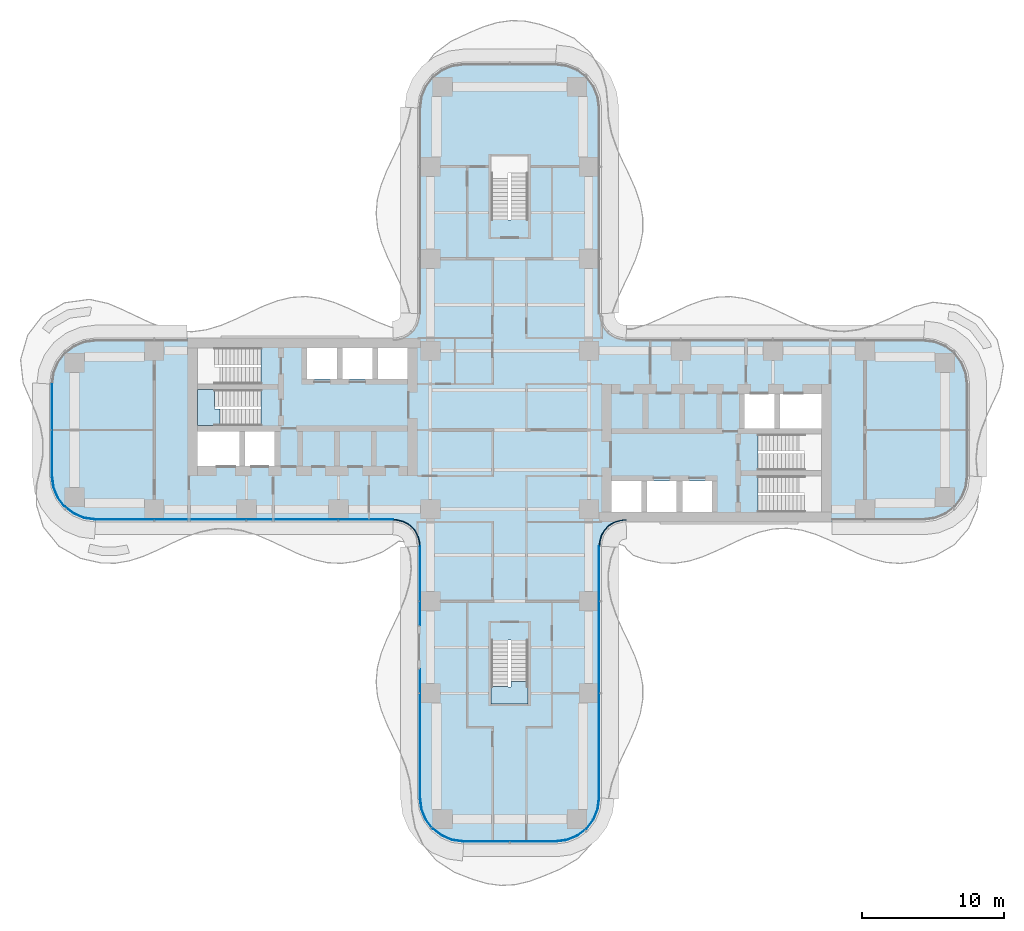
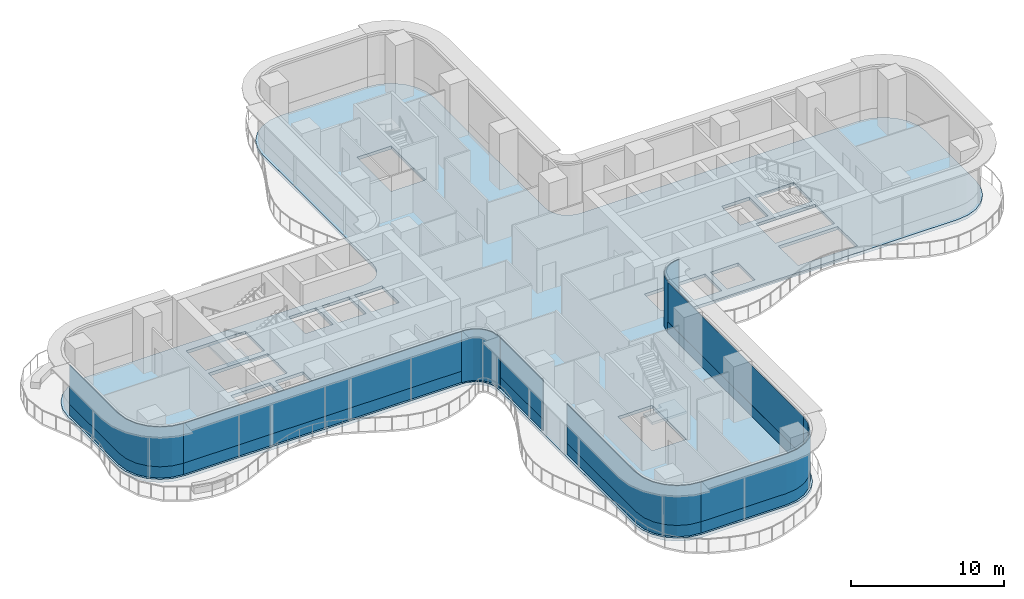
# One storey, part 14 of 22: 14 plates, 3 slabs, 10 elements without a shape of their own.
"""IFC4 building model written with IfcOpenShell, lengths in metres."""

from ifc_helpers import new_model, si_unit, direction, frame, origin, place, context, subcontext, project, spatial, polyline, outline, extrude, source, transform, mapped, material, layer, layer_set, type_object, element, aggregate, save


model = new_model("IFC4")

# Units and contexts
model_context = context("Model", 3, precision=1e-05, world=origin(), true_north=direction((0.0, 1.0)))
body_context = subcontext(model_context, "Body", "Model", "MODEL_VIEW")
ifc_project = project(units=[si_unit("LENGTHUNIT", "METRE"), si_unit("AREAUNIT", "SQUARE_METRE"), si_unit("VOLUMEUNIT", "CUBIC_METRE"), si_unit("PLANEANGLEUNIT", "RADIAN"), si_unit("MASSUNIT", "GRAM", prefix="KILO")], contexts=[model_context])

# Site, building, storey
site_placement = place(None, origin())
site = spatial("IfcSite", under=ifc_project, at=site_placement, CompositionType="ELEMENT")
building_placement = place(site_placement, origin())
building = spatial("IfcBuilding", under=site, at=building_placement, Name="Trellis Farm Tower", CompositionType="ELEMENT")
storey_placement = place(building_placement, frame((0.0, 0.0, 65.5)))
storey = spatial("IfcBuildingStorey", under=building, at=storey_placement, Name="L13", CompositionType="ELEMENT", Elevation=65.5)

# Curtain wall, plate
ifc_material_1 = material(Name="Aluminium and glass curtain wall", Category="aluminium")
ifc_layer_1 = layer(ifc_material_1, 0.18994140625)
ifc_layer_set_1 = layer_set([ifc_layer_1], Name="RIBBON CURTAIN WALL CW1")
curtain_wall_type_1 = type_object("IfcCurtainWallType", Name="RIBBON CURTAIN WALL CW1", PredefinedType="NOTDEFINED", material=ifc_layer_set_1)
placement_1 = place(storey_placement, origin())
curtain_wall_1 = element("IfcCurtainWall", 1, at=placement_1, inside=storey, type_object=curtain_wall_type_1, Name="CW1 002", PredefinedType="NOTDEFINED")
ifc_material_2 = material(Name="Clear insulated glass", Category="glass")
ifc_layer_2 = layer(ifc_material_2, 0.0400390625)
ifc_layer_set_2 = layer_set([ifc_layer_2], Name="CW1 GLASS PANEL 40")
plate_type_1 = type_object("IfcPlateType", Name="CW1 GLASS PANEL 40", PredefinedType="CURTAIN_PANEL", material=ifc_layer_set_2)
placement_2 = place(storey_placement, frame((0.0, 0.0, 0.89990234375)))
plate_1 = element("IfcPlate", 2, at=placement_2, type_object=plate_type_1, Name="PL1 002", PredefinedType="CURTAIN_PANEL", context=body_context, shape_type="SweptSolid", body=[
    extrude(outline(polyline([(-6.35009765625, -8.2265625), (-6.35009765625, -13.7900390625), (-6.31005859375, -13.7900390625), (-6.31005859375, -8.22509765625), (-6.35009765625, -8.2265625)])), origin(), (0.0, 0.0, 1.0), 3.170166015625),
])

curtain_wall_2 = element("IfcCurtainWall", 3, at=placement_1, inside=storey, type_object=curtain_wall_type_1, Name="CW1 003", PredefinedType="NOTDEFINED")
plate_2 = element("IfcPlate", 4, at=placement_2, type_object=plate_type_1, Name="PL1 003", PredefinedType="CURTAIN_PANEL", context=body_context, shape_type="SweptSolid", body=[
    extrude(outline(polyline([(-6.35009765625, -16.909912109375), (-6.35009765625, -25.990234375), (-6.2431640625, -26.802001953125), (-5.93359375, -27.54931640625), (-5.441162109375, -28.191162109375), (-4.79931640625, -28.68359375), (-4.052001953125, -28.9931640625), (-3.240234375, -29.10009765625), (-3.237548828125, -29.06005859375), (-4.04150390625, -28.9541015625), (-4.779296875, -28.648681640625), (-5.41259765625, -28.16259765625), (-5.898681640625, -27.529296875), (-6.2041015625, -26.79150390625), (-6.31005859375, -25.987548828125), (-6.31005859375, -16.909912109375), (-6.35009765625, -16.909912109375)])), origin(), (0.0, 0.0, 1.0), 3.170166015625),
])

# Plate
ifc_material_3 = material(Name="Sandstone faced insulated panel", Category="masonry")
ifc_layer_3 = layer(ifc_material_3, 0.050048828125)
ifc_layer_set_3 = layer_set([ifc_layer_3], Name="CW1 STONE SPANDREL PANEL 50")
plate_type_2 = type_object("IfcPlateType", Name="CW1 STONE SPANDREL PANEL 50", PredefinedType="CURTAIN_PANEL", material=ifc_layer_set_3)
plate_3 = element("IfcPlate", 5, at=placement_1, type_object=plate_type_2, Name="PS1 002", PredefinedType="CURTAIN_PANEL", context=body_context, shape_type="SweptSolid", body=[
    extrude(outline(polyline([(-6.35009765625, -8.2265625), (-6.35009765625, -13.7900390625), (-6.300048828125, -13.7900390625), (-6.300048828125, -8.224853515625), (-6.35009765625, -8.2265625)])), origin(), (0.0, 0.0, 1.0), 0.89990234375),
])

aggregate(curtain_wall_1, [plate_1, plate_3])

plate_4 = element("IfcPlate", 6, at=placement_1, type_object=plate_type_2, Name="PS1 003", PredefinedType="CURTAIN_PANEL", context=body_context, shape_type="SweptSolid", body=[
    extrude(outline(polyline([(-6.35009765625, -16.909912109375), (-6.35009765625, -25.990234375), (-6.2431640625, -26.802001953125), (-5.93359375, -27.54931640625), (-5.441162109375, -28.191162109375), (-4.79931640625, -28.68359375), (-4.052001953125, -28.9931640625), (-3.240234375, -29.10009765625), (-3.23681640625, -29.050048828125), (-4.0390625, -28.9443359375), (-4.774169921875, -28.639892578125), (-5.405517578125, -28.155517578125), (-5.889892578125, -27.524169921875), (-6.1943359375, -26.7890625), (-6.300048828125, -25.98681640625), (-6.300048828125, -16.909912109375), (-6.35009765625, -16.909912109375)])), origin(), (0.0, 0.0, 1.0), 0.89990234375),
])

aggregate(curtain_wall_2, [plate_2, plate_4])

# Slab
ifc_material_4 = material(Name="Concrete C40/50", Category="concrete")
ifc_layer_4 = layer(ifc_material_4, 0.25)
ifc_layer_set_4 = layer_set([ifc_layer_4], Name="Composite deck floor slab 250")
slab_type_1 = type_object("IfcSlabType", Name="Composite deck floor slab 250", PredefinedType="FLOOR", material=ifc_layer_set_4)
shared_shape_1 = source(origin(), body_context, "Body", "SweptSolid", [
    extrude(outline(polyline([(-30.09130859375, -6.389404296875), (-30.875, -6.064697265625), (-31.548095703125, -5.548095703125), (-32.064697265625, -4.875), (-32.389404296875, -4.09130859375), (-32.5, -3.25), (-32.5, 3.25), (-32.389404296875, 4.09130859375), (-32.064697265625, 4.875), (-31.548095703125, 5.548095703125), (-30.875, 6.064697265625), (-30.09130859375, 6.389404296875), (-29.25, 6.5), (-8.2314453125, 6.5), (-8.01953125, 6.513916015625), (-7.91552734375, 6.527587890625), (-7.508544921875, 6.63671875), (-7.144287109375, 6.846923828125), (-6.846923828125, 7.144287109375), (-6.63671875, 7.508544921875), (-6.527587890625, 7.91552734375), (-6.513916015625, 8.01953125), (-6.5, 8.2314453125), (-6.5, 22.75), (-6.389404296875, 23.59130859375), (-6.064697265625, 24.375), (-5.548095703125, 25.048095703125), (-4.875, 25.564697265625), (-4.09130859375, 25.889404296875), (-3.25, 26.0), (3.25, 26.0), (4.09130859375, 25.889404296875), (4.875, 25.564697265625), (5.548095703125, 25.048095703125), (6.064697265625, 24.375), (6.389404296875, 23.59130859375), (6.5, 22.75), (6.5, 8.2314453125), (6.513916015625, 8.01953125), (6.527587890625, 7.91552734375), (6.63671875, 7.508544921875), (6.846923828125, 7.144287109375), (7.144287109375, 6.846923828125), (7.508544921875, 6.63671875), (7.91552734375, 6.527587890625), (8.01953125, 6.513916015625), (8.2314453125, 6.5), (29.25, 6.5), (30.09130859375, 6.389404296875), (30.875, 6.064697265625), (31.548095703125, 5.548095703125), (32.064697265625, 4.875), (32.389404296875, 4.09130859375), (32.5, 3.25), (32.5, -3.25), (32.389404296875, -4.09130859375), (32.064697265625, -4.875), (31.548095703125, -5.548095703125), (30.875, -6.064697265625), (30.09130859375, -6.389404296875), (29.25, -6.5), (8.2314453125, -6.5), (8.01953125, -6.513916015625), (7.91552734375, -6.527587890625), (7.508544921875, -6.63671875), (7.144287109375, -6.846923828125), (6.846923828125, -7.144287109375), (6.63671875, -7.508544921875), (6.527587890625, -7.91552734375), (6.513916015625, -8.01953125), (6.5, -8.2314453125), (6.5, -26.0), (6.389404296875, -26.84130859375), (6.064697265625, -27.625), (5.548095703125, -28.298095703125), (4.875, -28.814697265625), (4.09130859375, -29.139404296875), (3.25, -29.25), (-3.25, -29.25), (-4.09130859375, -29.139404296875), (-4.875, -28.814697265625), (-5.548095703125, -28.298095703125), (-6.064697265625, -27.625), (-6.389404296875, -26.84130859375), (-6.5, -26.0), (-6.5, -8.2314453125), (-6.513916015625, -8.01953125), (-6.527587890625, -7.91552734375), (-6.63671875, -7.508544921875), (-6.846923828125, -7.144287109375), (-7.144287109375, -6.846923828125), (-7.508544921875, -6.63671875), (-7.91552734375, -6.527587890625), (-8.01953125, -6.513916015625), (-8.2314453125, -6.5), (-29.25, -6.5), (-30.09130859375, -6.389404296875)]), holes=[polyline([(-22.050048828125, -0.10009765625), (-22.050048828125, -2.550048828125), (-19.10009765625, -2.550048828125), (-19.10009765625, -0.10009765625), (-22.050048828125, -0.10009765625)]), polyline([(-18.699951171875, -0.10009765625), (-18.699951171875, -2.550048828125), (-16.60009765625, -2.550048828125), (-16.60009765625, -0.10009765625), (-18.699951171875, -0.10009765625)]), polyline([(-17.56201171875, 1.64990234375), (-17.56201171875, 2.85009765625), (-22.050048828125, 2.85009765625), (-22.050048828125, 0.300048828125), (-17.56005859375, 0.300048828125), (-17.56005859375, 1.5), (-17.550048828125, 1.5), (-17.550048828125, 1.64990234375), (-17.56201171875, 1.64990234375)]), polyline([(-17.56201171875, 4.60009765625), (-17.56201171875, 5.800048828125), (-22.050048828125, 5.800048828125), (-22.050048828125, 3.25), (-17.56005859375, 3.25), (-17.56005859375, 4.449951171875), (-17.550048828125, 4.449951171875), (-17.550048828125, 4.60009765625), (-17.56201171875, 4.60009765625)]), polyline([(-14.300048828125, 5.800048828125), (-14.300048828125, 3.60009765625), (-12.199951171875, 3.60009765625), (-12.199951171875, 5.800048828125), (-14.300048828125, 5.800048828125)]), polyline([(-11.800048828125, 5.800048828125), (-11.800048828125, 3.60009765625), (-9.699951171875, 3.60009765625), (-9.699951171875, 5.800048828125), (-11.800048828125, 5.800048828125)]), polyline([(-9.300048828125, 5.800048828125), (-9.300048828125, 3.60009765625), (-7.199951171875, 3.60009765625), (-7.199951171875, 5.800048828125), (-9.300048828125, 5.800048828125)]), polyline([(0.10009765625, 14.862060546875), (1.300048828125, 14.862060546875), (1.300048828125, 19.35009765625), (-1.300048828125, 19.35009765625), (-1.300048828125, 14.860107421875), (-0.10009765625, 14.860107421875), (-0.10009765625, 14.85009765625), (0.10009765625, 14.85009765625), (0.10009765625, 14.862060546875)]), polyline([(-0.10009765625, -14.862060546875), (-1.300048828125, -14.862060546875), (-1.300048828125, -19.35009765625), (1.300048828125, -19.35009765625), (1.300048828125, -14.860107421875), (0.10009765625, -14.860107421875), (0.10009765625, -14.85009765625), (-0.10009765625, -14.85009765625), (-0.10009765625, -14.862060546875)]), polyline([(9.300048828125, -5.800048828125), (9.300048828125, -3.60009765625), (7.199951171875, -3.60009765625), (7.199951171875, -5.800048828125), (9.300048828125, -5.800048828125)]), polyline([(11.800048828125, -5.800048828125), (11.800048828125, -3.60009765625), (9.699951171875, -3.60009765625), (9.699951171875, -5.800048828125), (11.800048828125, -5.800048828125)]), polyline([(14.300048828125, -5.800048828125), (14.300048828125, -3.60009765625), (12.199951171875, -3.60009765625), (12.199951171875, -5.800048828125), (14.300048828125, -5.800048828125)]), polyline([(17.56201171875, -4.60009765625), (17.56201171875, -5.800048828125), (22.050048828125, -5.800048828125), (22.050048828125, -3.25), (17.56005859375, -3.25), (17.56005859375, -4.449951171875), (17.550048828125, -4.449951171875), (17.550048828125, -4.60009765625), (17.56201171875, -4.60009765625)]), polyline([(17.56201171875, -1.64990234375), (17.56201171875, -2.85009765625), (22.050048828125, -2.85009765625), (22.050048828125, -0.300048828125), (17.56005859375, -0.300048828125), (17.56005859375, -1.5), (17.550048828125, -1.5), (17.550048828125, -1.64990234375), (17.56201171875, -1.64990234375)]), polyline([(18.699951171875, 0.10009765625), (18.699951171875, 2.550048828125), (16.60009765625, 2.550048828125), (16.60009765625, 0.10009765625), (18.699951171875, 0.10009765625)]), polyline([(22.050048828125, 0.10009765625), (22.050048828125, 2.550048828125), (19.10009765625, 2.550048828125), (19.10009765625, 0.10009765625), (22.050048828125, 0.10009765625)])]), origin(), (0.0, 0.0, 1.0), 0.25),
])
slab_1_placement = place(storey_placement, frame((0.0, 0.0, -0.25)))
element("IfcSlab", 7, at=slab_1_placement, inside=storey, type_object=slab_type_1, Name="Floor slab", PredefinedType="FLOOR", context=body_context, shape_type="MappedRepresentation", body=[
    mapped(shared_shape_1, transform((0.0, 0.0, 0.0))),
])

# Stair, slab
ifc_material_5 = material(Name="Concrete C50/60", Category="concrete")
stair_type = type_object("IfcStairType", Name="CORE EXIT STAIR 26 RISERS 173 MM", PredefinedType="HALF_TURN_STAIR", material=ifc_material_5)
stair_1 = element("IfcStair", 8, at=placement_1, inside=storey, type_object=stair_type, Name="Exit stair S", PredefinedType="HALF_TURN_STAIR")
ifc_layer_5 = layer(ifc_material_5, 0.18994140625)
ifc_layer_set_5 = layer_set([ifc_layer_5], Name="CORE STAIR LANDING 190 CONCRETE C50/60")
slab_type_2 = type_object("IfcSlabType", Name="CORE STAIR LANDING 190 CONCRETE C50/60", PredefinedType="LANDING", material=ifc_layer_set_5)
shared_shape_2 = source(origin(), body_context, "Body", "SweptSolid", [
    extrude(outline(polyline([(1.300048828125, -19.35009765625), (-1.300048828125, -19.35009765625), (-1.300048828125, -18.14990234375), (-1.300048828125, -18.139892578125), (-0.10009765625, -18.139892578125), (-0.10009765625, -18.14990234375), (0.10009765625, -18.14990234375), (0.10009765625, -17.753173828125), (1.300048828125, -17.753173828125), (1.300048828125, -18.14990234375), (1.300048828125, -19.35009765625)])), origin(), (0.0, 0.0, 1.0), 0.18994140625),
])
placement_3 = place(storey_placement, frame((0.0, 0.0, 2.06005859375)))
slab_2 = element("IfcSlab", 9, at=placement_3, type_object=slab_type_2, Name="STS landing 1", PredefinedType="LANDING", context=body_context, shape_type="MappedRepresentation", body=[
    mapped(shared_shape_2, transform((0.0, 0.0, 0.0))),
])
aggregate(stair_1, [slab_2])

stair_2 = element("IfcStair", 10, at=placement_1, inside=storey, type_object=stair_type, Name="Exit stair W2", PredefinedType="HALF_TURN_STAIR")
shared_shape_3 = source(origin(), body_context, "Body", "SweptSolid", [
    extrude(outline(polyline([(-20.453125, 1.5), (-20.453125, 0.300048828125), (-20.85009765625, 0.300048828125), (-22.050048828125, 0.300048828125), (-22.050048828125, 2.85009765625), (-20.85009765625, 2.85009765625), (-20.840087890625, 2.85009765625), (-20.840087890625, 1.64990234375), (-20.85009765625, 1.64990234375), (-20.85009765625, 1.5), (-20.453125, 1.5)])), origin(), (0.0, 0.0, 1.0), 0.18994140625),
])
slab_3 = element("IfcSlab", 11, at=placement_3, type_object=slab_type_2, Name="STW2 landing 1", PredefinedType="LANDING", context=body_context, shape_type="MappedRepresentation", body=[
    mapped(shared_shape_3, transform((0.0, 0.0, 0.0))),
])
aggregate(stair_2, [slab_3])

# Curtain wall, plates
curtain_wall_3 = element("IfcCurtainWall", 12, at=placement_1, inside=storey, type_object=curtain_wall_type_1, Name="CW1 001", PredefinedType="NOTDEFINED")
shared_shape_4 = source(origin(), body_context, "Body", "SweptSolid", [
    extrude(outline(polyline([(-29.240234375, -6.35009765625), (-8.2265625, -6.35009765625), (-8.22509765625, -6.31005859375), (-29.237548828125, -6.31005859375), (-29.240234375, -6.35009765625)])), origin(), (0.0, 0.0, 1.0), 3.170166015625),
])
plate_5 = element("IfcPlate", 13, at=placement_2, type_object=plate_type_1, Name="PL1 001", PredefinedType="CURTAIN_PANEL", context=body_context, shape_type="MappedRepresentation", body=[
    mapped(shared_shape_4, transform((0.0, 0.0, 0.0))),
])
shared_shape_5 = source(origin(), body_context, "Body", "SweptSolid", [
    extrude(outline(polyline([(-29.240234375, -6.35009765625), (-8.2265625, -6.35009765625), (-8.224853515625, -6.300048828125), (-29.23681640625, -6.300048828125), (-29.240234375, -6.35009765625)])), origin(), (0.0, 0.0, 1.0), 0.89990234375),
])
plate_6 = element("IfcPlate", 14, at=placement_1, type_object=plate_type_2, Name="PS1 001", PredefinedType="CURTAIN_PANEL", context=body_context, shape_type="MappedRepresentation", body=[
    mapped(shared_shape_5, transform((0.0, 0.0, 0.0))),
])
aggregate(curtain_wall_3, [plate_5, plate_6])

# Curtain wall, plate
ifc_layer_6 = layer(ifc_material_1, 0.166015625)
ifc_layer_set_6 = layer_set([ifc_layer_6], Name="WINTER GARDEN CURTAIN WALL CW3")
curtain_wall_type_2 = type_object("IfcCurtainWallType", Name="WINTER GARDEN CURTAIN WALL CW3", PredefinedType="NOTDEFINED", material=ifc_layer_set_6)
curtain_wall_4 = element("IfcCurtainWall", 15, at=placement_1, inside=storey, type_object=curtain_wall_type_2, Name="CW3 001", PredefinedType="NOTDEFINED")
ifc_layer_7 = layer(ifc_material_2, 0.0458984375)
ifc_layer_set_7 = layer_set([ifc_layer_7], Name="CW3 GLASS PANEL 46")
plate_type_3 = type_object("IfcPlateType", Name="CW3 GLASS PANEL 46", PredefinedType="CURTAIN_PANEL", material=ifc_layer_set_7)
shared_shape_6 = source(origin(), body_context, "Body", "SweptSolid", [
    extrude(outline(polyline([(-8.2275390625, -6.3798828125), (-8.0078125, -6.394287109375), (-7.89208984375, -6.40966796875), (-7.462158203125, -6.52490234375), (-7.070556640625, -6.7509765625), (-6.7509765625, -7.070556640625), (-6.52490234375, -7.462158203125), (-6.40966796875, -7.89208984375), (-6.394287109375, -8.0078125), (-6.3798828125, -8.2275390625), (-6.333984375, -8.22607421875), (-6.3486328125, -8.003173828125), (-6.364501953125, -7.883056640625), (-6.48193359375, -7.4443359375), (-6.714111328125, -7.04248046875), (-7.04248046875, -6.714111328125), (-7.4443359375, -6.48193359375), (-7.883056640625, -6.364501953125), (-8.003173828125, -6.3486328125), (-8.22607421875, -6.333984375), (-8.2275390625, -6.3798828125)])), origin(), (0.0, 0.0, 1.0), 4.10009765625),
])
plate_7 = element("IfcPlate", 16, at=placement_1, type_object=plate_type_3, Name="PL3 001", PredefinedType="CURTAIN_PANEL", context=body_context, shape_type="MappedRepresentation", body=[
    mapped(shared_shape_6, transform((0.0, 0.0, 0.0))),
])
aggregate(curtain_wall_4, [plate_7])

# Curtain wall, plates
curtain_wall_5 = element("IfcCurtainWall", 17, at=placement_1, inside=storey, type_object=curtain_wall_type_1, Name="CW1 004", PredefinedType="NOTDEFINED")
shared_shape_7 = source(origin(), body_context, "Body", "SweptSolid", [
    extrude(outline(polyline([(-3.240234375, -29.10009765625), (3.240234375, -29.10009765625), (4.052001953125, -28.9931640625), (4.79931640625, -28.68359375), (5.441162109375, -28.191162109375), (5.93359375, -27.54931640625), (6.2431640625, -26.802001953125), (6.35009765625, -25.990234375), (6.31005859375, -25.987548828125), (6.2041015625, -26.79150390625), (5.898681640625, -27.529296875), (5.41259765625, -28.16259765625), (4.779296875, -28.648681640625), (4.04150390625, -28.9541015625), (3.237548828125, -29.06005859375), (-3.237548828125, -29.06005859375), (-3.240234375, -29.10009765625)])), origin(), (0.0, 0.0, 1.0), 3.170166015625),
])
plate_8 = element("IfcPlate", 18, at=placement_2, type_object=plate_type_1, Name="PL1 004", PredefinedType="CURTAIN_PANEL", context=body_context, shape_type="MappedRepresentation", body=[
    mapped(shared_shape_7, transform((0.0, 0.0, 0.0))),
])
shared_shape_8 = source(origin(), body_context, "Body", "SweptSolid", [
    extrude(outline(polyline([(-3.240234375, -29.10009765625), (3.240234375, -29.10009765625), (4.052001953125, -28.9931640625), (4.79931640625, -28.68359375), (5.441162109375, -28.191162109375), (5.93359375, -27.54931640625), (6.2431640625, -26.802001953125), (6.35009765625, -25.990234375), (6.300048828125, -25.98681640625), (6.1943359375, -26.7890625), (5.889892578125, -27.524169921875), (5.405517578125, -28.155517578125), (4.774169921875, -28.639892578125), (4.0390625, -28.9443359375), (3.23681640625, -29.050048828125), (-3.23681640625, -29.050048828125), (-3.240234375, -29.10009765625)])), origin(), (0.0, 0.0, 1.0), 0.89990234375),
])
plate_9 = element("IfcPlate", 19, at=placement_1, type_object=plate_type_2, Name="PS1 004", PredefinedType="CURTAIN_PANEL", context=body_context, shape_type="MappedRepresentation", body=[
    mapped(shared_shape_8, transform((0.0, 0.0, 0.0))),
])
aggregate(curtain_wall_5, [plate_8, plate_9])

curtain_wall_6 = element("IfcCurtainWall", 20, at=placement_1, inside=storey, type_object=curtain_wall_type_1, Name="CW1 005", PredefinedType="NOTDEFINED")
shared_shape_9 = source(origin(), body_context, "Body", "SweptSolid", [
    extrude(outline(polyline([(6.35009765625, -25.990234375), (6.35009765625, -8.2265625), (6.31005859375, -8.22509765625), (6.31005859375, -25.987548828125), (6.35009765625, -25.990234375)])), origin(), (0.0, 0.0, 1.0), 3.170166015625),
])
plate_10 = element("IfcPlate", 21, at=placement_2, type_object=plate_type_1, Name="PL1 005", PredefinedType="CURTAIN_PANEL", context=body_context, shape_type="MappedRepresentation", body=[
    mapped(shared_shape_9, transform((0.0, 0.0, 0.0))),
])
shared_shape_10 = source(origin(), body_context, "Body", "SweptSolid", [
    extrude(outline(polyline([(6.35009765625, -25.990234375), (6.35009765625, -8.2265625), (6.300048828125, -8.224853515625), (6.300048828125, -25.98681640625), (6.35009765625, -25.990234375)])), origin(), (0.0, 0.0, 1.0), 0.89990234375),
])
plate_11 = element("IfcPlate", 22, at=placement_1, type_object=plate_type_2, Name="PS1 005", PredefinedType="CURTAIN_PANEL", context=body_context, shape_type="MappedRepresentation", body=[
    mapped(shared_shape_10, transform((0.0, 0.0, 0.0))),
])
aggregate(curtain_wall_6, [plate_10, plate_11])

# Curtain wall, plate
curtain_wall_7 = element("IfcCurtainWall", 23, at=placement_1, inside=storey, type_object=curtain_wall_type_2, Name="CW3 002", PredefinedType="NOTDEFINED")
shared_shape_11 = source(origin(), body_context, "Body", "SweptSolid", [
    extrude(outline(polyline([(6.3798828125, -8.2275390625), (6.394287109375, -8.0078125), (6.40966796875, -7.89208984375), (6.52490234375, -7.462158203125), (6.7509765625, -7.070556640625), (7.070556640625, -6.7509765625), (7.462158203125, -6.52490234375), (7.89208984375, -6.40966796875), (8.0078125, -6.394287109375), (8.2275390625, -6.3798828125), (8.22607421875, -6.333984375), (8.003173828125, -6.3486328125), (7.883056640625, -6.364501953125), (7.4443359375, -6.48193359375), (7.04248046875, -6.714111328125), (6.714111328125, -7.04248046875), (6.48193359375, -7.4443359375), (6.364501953125, -7.883056640625), (6.3486328125, -8.003173828125), (6.333984375, -8.22607421875), (6.3798828125, -8.2275390625)])), origin(), (0.0, 0.0, 1.0), 4.10009765625),
])
plate_12 = element("IfcPlate", 24, at=placement_1, type_object=plate_type_3, Name="PL3 002", PredefinedType="CURTAIN_PANEL", context=body_context, shape_type="MappedRepresentation", body=[
    mapped(shared_shape_11, transform((0.0, 0.0, 0.0))),
])
aggregate(curtain_wall_7, [plate_12])

# Curtain wall, plates
curtain_wall_8 = element("IfcCurtainWall", 25, at=placement_1, inside=storey, type_object=curtain_wall_type_1, Name="CW1 013", PredefinedType="NOTDEFINED")
shared_shape_12 = source(origin(), body_context, "Body", "SweptSolid", [
    extrude(outline(polyline([(-32.35009765625, 3.240234375), (-32.35009765625, -3.240234375), (-32.2431640625, -4.052001953125), (-31.93359375, -4.79931640625), (-31.441162109375, -5.441162109375), (-30.79931640625, -5.93359375), (-30.052001953125, -6.2431640625), (-29.240234375, -6.35009765625), (-29.237548828125, -6.31005859375), (-30.04150390625, -6.2041015625), (-30.779296875, -5.898681640625), (-31.41259765625, -5.41259765625), (-31.898681640625, -4.779296875), (-32.2041015625, -4.04150390625), (-32.31005859375, -3.237548828125), (-32.31005859375, 3.237548828125), (-32.35009765625, 3.240234375)])), origin(), (0.0, 0.0, 1.0), 3.170166015625),
])
plate_13 = element("IfcPlate", 26, at=placement_2, type_object=plate_type_1, Name="PL1 013", PredefinedType="CURTAIN_PANEL", context=body_context, shape_type="MappedRepresentation", body=[
    mapped(shared_shape_12, transform((0.0, 0.0, 0.0))),
])
shared_shape_13 = source(origin(), body_context, "Body", "SweptSolid", [
    extrude(outline(polyline([(-32.35009765625, 3.240234375), (-32.35009765625, -3.240234375), (-32.2431640625, -4.052001953125), (-31.93359375, -4.79931640625), (-31.441162109375, -5.441162109375), (-30.79931640625, -5.93359375), (-30.052001953125, -6.2431640625), (-29.240234375, -6.35009765625), (-29.23681640625, -6.300048828125), (-30.0390625, -6.1943359375), (-30.774169921875, -5.889892578125), (-31.405517578125, -5.405517578125), (-31.889892578125, -4.774169921875), (-32.1943359375, -4.0390625), (-32.300048828125, -3.23681640625), (-32.300048828125, 3.23681640625), (-32.35009765625, 3.240234375)])), origin(), (0.0, 0.0, 1.0), 0.89990234375),
])
plate_14 = element("IfcPlate", 27, at=placement_1, type_object=plate_type_2, Name="PS1 013", PredefinedType="CURTAIN_PANEL", context=body_context, shape_type="MappedRepresentation", body=[
    mapped(shared_shape_13, transform((0.0, 0.0, 0.0))),
])
aggregate(curtain_wall_8, [plate_13, plate_14])

save(model, "model.ifc")
